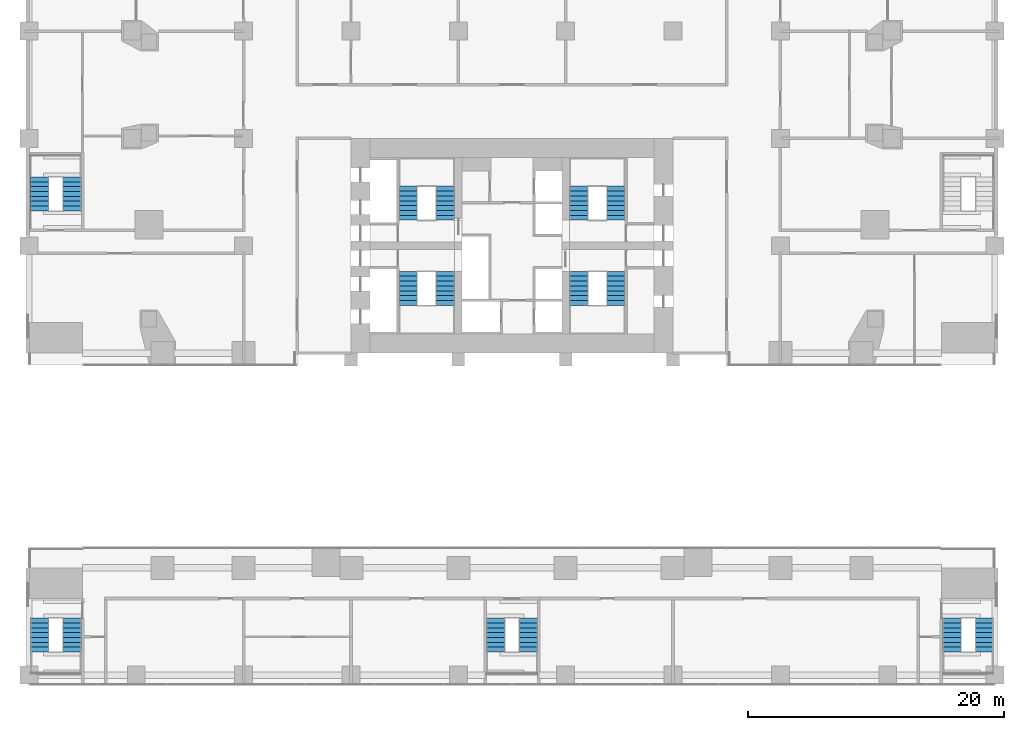
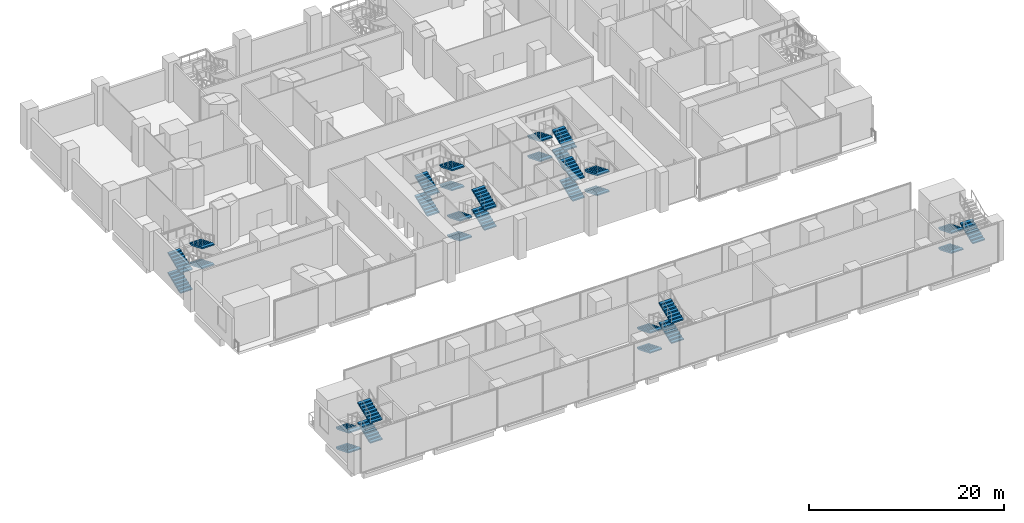
# One storey, part 17 of 24: 31 stair flights, 8 elements without a shape of their own.
"""IFC4 building model written with IfcOpenShell, lengths in metres."""

from ifc_helpers import new_model, si_unit, direction, frame, origin, place, context, subcontext, project, spatial, polyline, outline, extrude, material, type_object, element, aggregate, save


model = new_model("IFC4")

# Units and contexts
model_context = context("Model", 3, precision=1e-05, world=origin(), true_north=direction((0.0, 1.0)))
body_context = subcontext(model_context, "Body", "Model", "MODEL_VIEW")
ifc_project = project(units=[si_unit("LENGTHUNIT", "METRE"), si_unit("AREAUNIT", "SQUARE_METRE"), si_unit("VOLUMEUNIT", "CUBIC_METRE"), si_unit("PLANEANGLEUNIT", "RADIAN"), si_unit("MASSUNIT", "GRAM", prefix="KILO")], contexts=[model_context])

# Site, building, storey
site_placement = place(None, origin())
site = spatial("IfcSite", under=ifc_project, at=site_placement, CompositionType="ELEMENT")
building_placement = place(site_placement, origin())
building = spatial("IfcBuilding", under=site, at=building_placement, Name="Marenta Gate Hotel Tower", CompositionType="ELEMENT")
storey_placement = place(building_placement, frame((0.0, 0.0, 8.0)))
storey = spatial("IfcBuildingStorey", under=building, at=storey_placement, Name="L01", CompositionType="ELEMENT", Elevation=8.0)

# Stair, stair flights
ifc_material_1 = material(Name="Concrete C40", Category="concrete")
stair_type_1 = type_object("IfcStairType", Name="Core exit stair 1430 wide", PredefinedType="HALF_TURN_STAIR", material=ifc_material_1)
stair_1_placement = place(storey_placement, origin())
stair_1 = element("IfcStair", 1, at=stair_1_placement, inside=storey, type_object=stair_type_1, Name="Exit stair 1", PredefinedType="HALF_TURN_STAIR")
ifc_material_2 = material(Name="Concrete C40", Category="concrete")
stair_flight_type_1 = type_object("IfcStairFlightType", Name="Core stair flight 1430 riser 156.2 going 380", PredefinedType="STRAIGHT", material=ifc_material_2)
stair_flight_1_placement = place(storey_placement, frame((-8.135009765625, 6.39990234375, 0.0), z_axis=(0.0, 0.0, 1.0), x_axis=(0.0, -1.0, 0.0)))
stair_flight_1 = element("IfcStairFlight", 2, at=stair_flight_1_placement, type_object=stair_flight_type_1, Name="ST1 flight 1", NumberOfRisers=8, NumberOfTreads=7, PredefinedType="STRAIGHT", RiserHeight=0.15625, TreadLength=0.38, context=body_context, shape_type="SweptSolid", body=[
    extrude(outline(polyline([(0.0, 0.0), (0.0, 0.15625), (0.3798828125, 0.15625), (0.3798828125, 0.3125), (0.760009765625, 0.3125), (0.760009765625, 0.46875), (1.139892578125, 0.46875), (1.139892578125, 0.625), (1.52001953125, 0.625), (1.52001953125, 0.78125), (1.89990234375, 0.78125), (1.89990234375, 0.9375), (2.280029296875, 0.9375), (2.280029296875, 1.09375), (2.659912109375, 1.09375), (2.659912109375, 1.25), (2.659912109375, 0.931640625), (0.394287109375, 0.0), (0.0, 0.0)])), frame((0.0, 0.71484375, 0.0), z_axis=(0.0, -1.0, 0.0), x_axis=(1.0, 0.0, 0.0)), (0.0, 0.0, 1.0), 1.429931640625),
])
stair_flight_2_placement = place(storey_placement, frame((-5.215087890625, 3.739990234375, 1.25), z_axis=(0.0, 0.0, 1.0), x_axis=(0.0, 1.0, 0.0)))
stair_flight_2 = element("IfcStairFlight", 3, at=stair_flight_2_placement, type_object=stair_flight_type_1, Name="ST1 flight 2", NumberOfRisers=8, NumberOfTreads=7, PredefinedType="STRAIGHT", RiserHeight=0.15625, TreadLength=0.38, context=body_context, shape_type="SweptSolid", body=[
    extrude(outline(polyline([(0.0, 0.0), (0.0, 0.15625), (0.3798828125, 0.15625), (0.3798828125, 0.3125), (0.760009765625, 0.3125), (0.760009765625, 0.46875), (1.139892578125, 0.46875), (1.139892578125, 0.625), (1.52001953125, 0.625), (1.52001953125, 0.78125), (1.89990234375, 0.78125), (1.89990234375, 0.9375), (2.280029296875, 0.9375), (2.280029296875, 1.09375), (2.659912109375, 1.09375), (2.659912109375, 1.25), (2.659912109375, 0.931640625), (0.394287109375, 0.0), (0.0, 0.0)])), frame((0.0, 0.71484375, 0.0), z_axis=(0.0, -1.0, 0.0), x_axis=(1.0, 0.0, 0.0)), (0.0, 0.0, 1.0), 1.429931640625),
])
stair_flight_3_placement = place(storey_placement, frame((-8.135009765625, 6.39990234375, 2.5), z_axis=(0.0, 0.0, 1.0), x_axis=(0.0, -1.0, 0.0)))
stair_flight_3 = element("IfcStairFlight", 4, at=stair_flight_3_placement, type_object=stair_flight_type_1, Name="ST1 flight 3", NumberOfRisers=8, NumberOfTreads=7, PredefinedType="STRAIGHT", RiserHeight=0.15625, TreadLength=0.38, context=body_context, shape_type="SweptSolid", body=[
    extrude(outline(polyline([(0.0, 0.0), (0.0, 0.15625), (0.3798828125, 0.15625), (0.3798828125, 0.3125), (0.760009765625, 0.3125), (0.760009765625, 0.46875), (1.139892578125, 0.46875), (1.139892578125, 0.625), (1.52001953125, 0.625), (1.52001953125, 0.78125), (1.89990234375, 0.78125), (1.89990234375, 0.9375), (2.280029296875, 0.9375), (2.280029296875, 1.09375), (2.659912109375, 1.09375), (2.659912109375, 1.25), (2.659912109375, 0.931640625), (0.394287109375, 0.0), (0.0, 0.0)])), frame((0.0, 0.71484375, 0.0), z_axis=(0.0, -1.0, 0.0), x_axis=(1.0, 0.0, 0.0)), (0.0, 0.0, 1.0), 1.429931640625),
])
stair_flight_4_placement = place(storey_placement, frame((-5.215087890625, 3.739990234375, 3.75), z_axis=(0.0, 0.0, 1.0), x_axis=(0.0, 1.0, 0.0)))
stair_flight_4 = element("IfcStairFlight", 5, at=stair_flight_4_placement, type_object=stair_flight_type_1, Name="ST1 flight 4", NumberOfRisers=8, NumberOfTreads=7, PredefinedType="STRAIGHT", RiserHeight=0.15625, TreadLength=0.38, context=body_context, shape_type="SweptSolid", body=[
    extrude(outline(polyline([(0.0, 0.0), (0.0, 0.15625), (0.3798828125, 0.15625), (0.3798828125, 0.3125), (0.760009765625, 0.3125), (0.760009765625, 0.46875), (1.139892578125, 0.46875), (1.139892578125, 0.625), (1.52001953125, 0.625), (1.52001953125, 0.78125), (1.89990234375, 0.78125), (1.89990234375, 0.9375), (2.280029296875, 0.9375), (2.280029296875, 1.09375), (2.659912109375, 1.09375), (2.659912109375, 1.25), (2.659912109375, 0.931640625), (0.394287109375, 0.0), (0.0, 0.0)])), frame((0.0, 0.71484375, 0.0), z_axis=(0.0, -1.0, 0.0), x_axis=(1.0, 0.0, 0.0)), (0.0, 0.0, 1.0), 1.429931640625),
])
aggregate(stair_1, [stair_flight_1, stair_flight_2, stair_flight_3, stair_flight_4])

stair_2_placement = place(storey_placement, origin())
stair_2 = element("IfcStair", 6, at=stair_2_placement, inside=storey, type_object=stair_type_1, Name="Exit stair 2", PredefinedType="HALF_TURN_STAIR")
stair_flight_5_placement = place(storey_placement, frame((-8.135009765625, 10.39990234375, 0.0), z_axis=(0.0, 0.0, 1.0), x_axis=(0.0, 1.0, 0.0)))
stair_flight_5 = element("IfcStairFlight", 7, at=stair_flight_5_placement, type_object=stair_flight_type_1, Name="ST2 flight 1", NumberOfRisers=8, NumberOfTreads=7, PredefinedType="STRAIGHT", RiserHeight=0.15625, TreadLength=0.38, context=body_context, shape_type="SweptSolid", body=[
    extrude(outline(polyline([(0.0, 0.0), (0.0, 0.15625), (0.3798828125, 0.15625), (0.3798828125, 0.3125), (0.760009765625, 0.3125), (0.760009765625, 0.46875), (1.139892578125, 0.46875), (1.139892578125, 0.625), (1.52001953125, 0.625), (1.52001953125, 0.78125), (1.89990234375, 0.78125), (1.89990234375, 0.9375), (2.280029296875, 0.9375), (2.280029296875, 1.09375), (2.659912109375, 1.09375), (2.659912109375, 1.25), (2.659912109375, 0.931640625), (0.394287109375, 0.0), (0.0, 0.0)])), frame((0.0, 0.71484375, 0.0), z_axis=(0.0, -1.0, 0.0), x_axis=(1.0, 0.0, 0.0)), (0.0, 0.0, 1.0), 1.429931640625),
])
stair_flight_6_placement = place(storey_placement, frame((-5.215087890625, 13.06005859375, 1.25), z_axis=(0.0, 0.0, 1.0), x_axis=(0.0, -1.0, 0.0)))
stair_flight_6 = element("IfcStairFlight", 8, at=stair_flight_6_placement, type_object=stair_flight_type_1, Name="ST2 flight 2", NumberOfRisers=8, NumberOfTreads=7, PredefinedType="STRAIGHT", RiserHeight=0.15625, TreadLength=0.38, context=body_context, shape_type="SweptSolid", body=[
    extrude(outline(polyline([(0.0, 0.0), (0.0, 0.15625), (0.3798828125, 0.15625), (0.3798828125, 0.3125), (0.760009765625, 0.3125), (0.760009765625, 0.46875), (1.139892578125, 0.46875), (1.139892578125, 0.625), (1.52001953125, 0.625), (1.52001953125, 0.78125), (1.89990234375, 0.78125), (1.89990234375, 0.9375), (2.280029296875, 0.9375), (2.280029296875, 1.09375), (2.659912109375, 1.09375), (2.659912109375, 1.25), (2.659912109375, 0.931640625), (0.394287109375, 0.0), (0.0, 0.0)])), frame((0.0, 0.71484375, 0.0), z_axis=(0.0, -1.0, 0.0), x_axis=(1.0, 0.0, 0.0)), (0.0, 0.0, 1.0), 1.429931640625),
])
stair_flight_7_placement = place(storey_placement, frame((-8.135009765625, 10.39990234375, 2.5), z_axis=(0.0, 0.0, 1.0), x_axis=(0.0, 1.0, 0.0)))
stair_flight_7 = element("IfcStairFlight", 9, at=stair_flight_7_placement, type_object=stair_flight_type_1, Name="ST2 flight 3", NumberOfRisers=8, NumberOfTreads=7, PredefinedType="STRAIGHT", RiserHeight=0.15625, TreadLength=0.38, context=body_context, shape_type="SweptSolid", body=[
    extrude(outline(polyline([(0.0, 0.0), (0.0, 0.15625), (0.3798828125, 0.15625), (0.3798828125, 0.3125), (0.760009765625, 0.3125), (0.760009765625, 0.46875), (1.139892578125, 0.46875), (1.139892578125, 0.625), (1.52001953125, 0.625), (1.52001953125, 0.78125), (1.89990234375, 0.78125), (1.89990234375, 0.9375), (2.280029296875, 0.9375), (2.280029296875, 1.09375), (2.659912109375, 1.09375), (2.659912109375, 1.25), (2.659912109375, 0.931640625), (0.394287109375, 0.0), (0.0, 0.0)])), frame((0.0, 0.71484375, 0.0), z_axis=(0.0, -1.0, 0.0), x_axis=(1.0, 0.0, 0.0)), (0.0, 0.0, 1.0), 1.429931640625),
])
stair_flight_8_placement = place(storey_placement, frame((-5.215087890625, 13.06005859375, 3.75), z_axis=(0.0, 0.0, 1.0), x_axis=(0.0, -1.0, 0.0)))
stair_flight_8 = element("IfcStairFlight", 10, at=stair_flight_8_placement, type_object=stair_flight_type_1, Name="ST2 flight 4", NumberOfRisers=8, NumberOfTreads=7, PredefinedType="STRAIGHT", RiserHeight=0.15625, TreadLength=0.38, context=body_context, shape_type="SweptSolid", body=[
    extrude(outline(polyline([(0.0, 0.0), (0.0, 0.15625), (0.3798828125, 0.15625), (0.3798828125, 0.3125), (0.760009765625, 0.3125), (0.760009765625, 0.46875), (1.139892578125, 0.46875), (1.139892578125, 0.625), (1.52001953125, 0.625), (1.52001953125, 0.78125), (1.89990234375, 0.78125), (1.89990234375, 0.9375), (2.280029296875, 0.9375), (2.280029296875, 1.09375), (2.659912109375, 1.09375), (2.659912109375, 1.25), (2.659912109375, 0.931640625), (0.394287109375, 0.0), (0.0, 0.0)])), frame((0.0, 0.71484375, 0.0), z_axis=(0.0, -1.0, 0.0), x_axis=(1.0, 0.0, 0.0)), (0.0, 0.0, 1.0), 1.429931640625),
])
aggregate(stair_2, [stair_flight_5, stair_flight_6, stair_flight_7, stair_flight_8])

stair_3_placement = place(storey_placement, origin())
stair_3 = element("IfcStair", 11, at=stair_3_placement, inside=storey, type_object=stair_type_1, Name="Exit stair 3", PredefinedType="HALF_TURN_STAIR")
stair_flight_9_placement = place(storey_placement, frame((8.135009765625, 6.39990234375, 0.0), z_axis=(0.0, 0.0, 1.0), x_axis=(0.0, -1.0, 0.0)))
stair_flight_9 = element("IfcStairFlight", 12, at=stair_flight_9_placement, type_object=stair_flight_type_1, Name="ST3 flight 1", NumberOfRisers=8, NumberOfTreads=7, PredefinedType="STRAIGHT", RiserHeight=0.15625, TreadLength=0.38, context=body_context, shape_type="SweptSolid", body=[
    extrude(outline(polyline([(0.0, 0.0), (0.0, 0.15625), (0.3798828125, 0.15625), (0.3798828125, 0.3125), (0.760009765625, 0.3125), (0.760009765625, 0.46875), (1.139892578125, 0.46875), (1.139892578125, 0.625), (1.52001953125, 0.625), (1.52001953125, 0.78125), (1.89990234375, 0.78125), (1.89990234375, 0.9375), (2.280029296875, 0.9375), (2.280029296875, 1.09375), (2.659912109375, 1.09375), (2.659912109375, 1.25), (2.659912109375, 0.931640625), (0.394287109375, 0.0), (0.0, 0.0)])), frame((0.0, 0.71484375, 0.0), z_axis=(0.0, -1.0, 0.0), x_axis=(1.0, 0.0, 0.0)), (0.0, 0.0, 1.0), 1.429931640625),
])
stair_flight_10_placement = place(storey_placement, frame((5.215087890625, 3.739990234375, 1.25), z_axis=(0.0, 0.0, 1.0), x_axis=(0.0, 1.0, 0.0)))
stair_flight_10 = element("IfcStairFlight", 13, at=stair_flight_10_placement, type_object=stair_flight_type_1, Name="ST3 flight 2", NumberOfRisers=8, NumberOfTreads=7, PredefinedType="STRAIGHT", RiserHeight=0.15625, TreadLength=0.38, context=body_context, shape_type="SweptSolid", body=[
    extrude(outline(polyline([(0.0, 0.0), (0.0, 0.15625), (0.3798828125, 0.15625), (0.3798828125, 0.3125), (0.760009765625, 0.3125), (0.760009765625, 0.46875), (1.139892578125, 0.46875), (1.139892578125, 0.625), (1.52001953125, 0.625), (1.52001953125, 0.78125), (1.89990234375, 0.78125), (1.89990234375, 0.9375), (2.280029296875, 0.9375), (2.280029296875, 1.09375), (2.659912109375, 1.09375), (2.659912109375, 1.25), (2.659912109375, 0.931640625), (0.394287109375, 0.0), (0.0, 0.0)])), frame((0.0, 0.71484375, 0.0), z_axis=(0.0, -1.0, 0.0), x_axis=(1.0, 0.0, 0.0)), (0.0, 0.0, 1.0), 1.429931640625),
])
stair_flight_11_placement = place(storey_placement, frame((8.135009765625, 6.39990234375, 2.5), z_axis=(0.0, 0.0, 1.0), x_axis=(0.0, -1.0, 0.0)))
stair_flight_11 = element("IfcStairFlight", 14, at=stair_flight_11_placement, type_object=stair_flight_type_1, Name="ST3 flight 3", NumberOfRisers=8, NumberOfTreads=7, PredefinedType="STRAIGHT", RiserHeight=0.15625, TreadLength=0.38, context=body_context, shape_type="SweptSolid", body=[
    extrude(outline(polyline([(0.0, 0.0), (0.0, 0.15625), (0.3798828125, 0.15625), (0.3798828125, 0.3125), (0.760009765625, 0.3125), (0.760009765625, 0.46875), (1.139892578125, 0.46875), (1.139892578125, 0.625), (1.52001953125, 0.625), (1.52001953125, 0.78125), (1.89990234375, 0.78125), (1.89990234375, 0.9375), (2.280029296875, 0.9375), (2.280029296875, 1.09375), (2.659912109375, 1.09375), (2.659912109375, 1.25), (2.659912109375, 0.931640625), (0.394287109375, 0.0), (0.0, 0.0)])), frame((0.0, 0.71484375, 0.0), z_axis=(0.0, -1.0, 0.0), x_axis=(1.0, 0.0, 0.0)), (0.0, 0.0, 1.0), 1.429931640625),
])
stair_flight_12_placement = place(storey_placement, frame((5.215087890625, 3.739990234375, 3.75), z_axis=(0.0, 0.0, 1.0), x_axis=(0.0, 1.0, 0.0)))
stair_flight_12 = element("IfcStairFlight", 15, at=stair_flight_12_placement, type_object=stair_flight_type_1, Name="ST3 flight 4", NumberOfRisers=8, NumberOfTreads=7, PredefinedType="STRAIGHT", RiserHeight=0.15625, TreadLength=0.38, context=body_context, shape_type="SweptSolid", body=[
    extrude(outline(polyline([(0.0, 0.0), (0.0, 0.15625), (0.3798828125, 0.15625), (0.3798828125, 0.3125), (0.760009765625, 0.3125), (0.760009765625, 0.46875), (1.139892578125, 0.46875), (1.139892578125, 0.625), (1.52001953125, 0.625), (1.52001953125, 0.78125), (1.89990234375, 0.78125), (1.89990234375, 0.9375), (2.280029296875, 0.9375), (2.280029296875, 1.09375), (2.659912109375, 1.09375), (2.659912109375, 1.25), (2.659912109375, 0.931640625), (0.394287109375, 0.0), (0.0, 0.0)])), frame((0.0, 0.71484375, 0.0), z_axis=(0.0, -1.0, 0.0), x_axis=(1.0, 0.0, 0.0)), (0.0, 0.0, 1.0), 1.429931640625),
])
aggregate(stair_3, [stair_flight_9, stair_flight_10, stair_flight_11, stair_flight_12])

stair_4_placement = place(storey_placement, origin())
stair_4 = element("IfcStair", 16, at=stair_4_placement, inside=storey, type_object=stair_type_1, Name="Exit stair 4", PredefinedType="HALF_TURN_STAIR")
stair_flight_13_placement = place(storey_placement, frame((8.135009765625, 10.39990234375, 0.0), z_axis=(0.0, 0.0, 1.0), x_axis=(0.0, 1.0, 0.0)))
stair_flight_13 = element("IfcStairFlight", 17, at=stair_flight_13_placement, type_object=stair_flight_type_1, Name="ST4 flight 1", NumberOfRisers=8, NumberOfTreads=7, PredefinedType="STRAIGHT", RiserHeight=0.15625, TreadLength=0.38, context=body_context, shape_type="SweptSolid", body=[
    extrude(outline(polyline([(0.0, 0.0), (0.0, 0.15625), (0.3798828125, 0.15625), (0.3798828125, 0.3125), (0.760009765625, 0.3125), (0.760009765625, 0.46875), (1.139892578125, 0.46875), (1.139892578125, 0.625), (1.52001953125, 0.625), (1.52001953125, 0.78125), (1.89990234375, 0.78125), (1.89990234375, 0.9375), (2.280029296875, 0.9375), (2.280029296875, 1.09375), (2.659912109375, 1.09375), (2.659912109375, 1.25), (2.659912109375, 0.931640625), (0.394287109375, 0.0), (0.0, 0.0)])), frame((0.0, 0.71484375, 0.0), z_axis=(0.0, -1.0, 0.0), x_axis=(1.0, 0.0, 0.0)), (0.0, 0.0, 1.0), 1.429931640625),
])
stair_flight_14_placement = place(storey_placement, frame((5.215087890625, 13.06005859375, 1.25), z_axis=(0.0, 0.0, 1.0), x_axis=(0.0, -1.0, 0.0)))
stair_flight_14 = element("IfcStairFlight", 18, at=stair_flight_14_placement, type_object=stair_flight_type_1, Name="ST4 flight 2", NumberOfRisers=8, NumberOfTreads=7, PredefinedType="STRAIGHT", RiserHeight=0.15625, TreadLength=0.38, context=body_context, shape_type="SweptSolid", body=[
    extrude(outline(polyline([(0.0, 0.0), (0.0, 0.15625), (0.3798828125, 0.15625), (0.3798828125, 0.3125), (0.760009765625, 0.3125), (0.760009765625, 0.46875), (1.139892578125, 0.46875), (1.139892578125, 0.625), (1.52001953125, 0.625), (1.52001953125, 0.78125), (1.89990234375, 0.78125), (1.89990234375, 0.9375), (2.280029296875, 0.9375), (2.280029296875, 1.09375), (2.659912109375, 1.09375), (2.659912109375, 1.25), (2.659912109375, 0.931640625), (0.394287109375, 0.0), (0.0, 0.0)])), frame((0.0, 0.71484375, 0.0), z_axis=(0.0, -1.0, 0.0), x_axis=(1.0, 0.0, 0.0)), (0.0, 0.0, 1.0), 1.429931640625),
])
stair_flight_15_placement = place(storey_placement, frame((8.135009765625, 10.39990234375, 2.5), z_axis=(0.0, 0.0, 1.0), x_axis=(0.0, 1.0, 0.0)))
stair_flight_15 = element("IfcStairFlight", 19, at=stair_flight_15_placement, type_object=stair_flight_type_1, Name="ST4 flight 3", NumberOfRisers=8, NumberOfTreads=7, PredefinedType="STRAIGHT", RiserHeight=0.15625, TreadLength=0.38, context=body_context, shape_type="SweptSolid", body=[
    extrude(outline(polyline([(0.0, 0.0), (0.0, 0.15625), (0.3798828125, 0.15625), (0.3798828125, 0.3125), (0.760009765625, 0.3125), (0.760009765625, 0.46875), (1.139892578125, 0.46875), (1.139892578125, 0.625), (1.52001953125, 0.625), (1.52001953125, 0.78125), (1.89990234375, 0.78125), (1.89990234375, 0.9375), (2.280029296875, 0.9375), (2.280029296875, 1.09375), (2.659912109375, 1.09375), (2.659912109375, 1.25), (2.659912109375, 0.931640625), (0.394287109375, 0.0), (0.0, 0.0)])), frame((0.0, 0.71484375, 0.0), z_axis=(0.0, -1.0, 0.0), x_axis=(1.0, 0.0, 0.0)), (0.0, 0.0, 1.0), 1.429931640625),
])
stair_flight_16_placement = place(storey_placement, frame((5.215087890625, 13.06005859375, 3.75), z_axis=(0.0, 0.0, 1.0), x_axis=(0.0, -1.0, 0.0)))
stair_flight_16 = element("IfcStairFlight", 20, at=stair_flight_16_placement, type_object=stair_flight_type_1, Name="ST4 flight 4", NumberOfRisers=8, NumberOfTreads=7, PredefinedType="STRAIGHT", RiserHeight=0.15625, TreadLength=0.38, context=body_context, shape_type="SweptSolid", body=[
    extrude(outline(polyline([(0.0, 0.0), (0.0, 0.15625), (0.3798828125, 0.15625), (0.3798828125, 0.3125), (0.760009765625, 0.3125), (0.760009765625, 0.46875), (1.139892578125, 0.46875), (1.139892578125, 0.625), (1.52001953125, 0.625), (1.52001953125, 0.78125), (1.89990234375, 0.78125), (1.89990234375, 0.9375), (2.280029296875, 0.9375), (2.280029296875, 1.09375), (2.659912109375, 1.09375), (2.659912109375, 1.25), (2.659912109375, 0.931640625), (0.394287109375, 0.0), (0.0, 0.0)])), frame((0.0, 0.71484375, 0.0), z_axis=(0.0, -1.0, 0.0), x_axis=(1.0, 0.0, 0.0)), (0.0, 0.0, 1.0), 1.429931640625),
])
aggregate(stair_4, [stair_flight_13, stair_flight_14, stair_flight_15, stair_flight_16])

ifc_material_3 = material(Name="Concrete C40", Category="concrete")
stair_type_2 = type_object("IfcStairType", Name="Podium exit stair 1430 wide", PredefinedType="HALF_TURN_STAIR", material=ifc_material_3)
stair_5_placement = place(storey_placement, origin())
stair_5 = element("IfcStair", 21, at=stair_5_placement, inside=storey, type_object=stair_type_2, Name="Podium exit stair 1", PredefinedType="HALF_TURN_STAIR")
ifc_material_4 = material(Name="Concrete C40", Category="concrete")
stair_flight_type_2 = type_object("IfcStairFlightType", Name="Podium stair flight 1430 riser 156.2 going 380", PredefinedType="STRAIGHT", material=ifc_material_4)
stair_flight_17_placement = place(storey_placement, frame((-36.985107421875, -20.72998046875, 0.0), z_axis=(0.0, 0.0, 1.0), x_axis=(0.0, -1.0, 0.0)))
stair_flight_17 = element("IfcStairFlight", 22, at=stair_flight_17_placement, type_object=stair_flight_type_2, Name="PX1 flight 1", NumberOfRisers=8, NumberOfTreads=7, PredefinedType="STRAIGHT", RiserHeight=0.15625, TreadLength=0.38, context=body_context, shape_type="SweptSolid", body=[
    extrude(outline(polyline([(0.0, 0.0), (0.0, 0.15625), (0.3798828125, 0.15625), (0.3798828125, 0.3125), (0.760009765625, 0.3125), (0.760009765625, 0.46875), (1.139892578125, 0.46875), (1.139892578125, 0.625), (1.52001953125, 0.625), (1.52001953125, 0.78125), (1.89990234375, 0.78125), (1.89990234375, 0.9375), (2.280029296875, 0.9375), (2.280029296875, 1.09375), (2.659912109375, 1.09375), (2.659912109375, 1.25), (2.659912109375, 0.931640625), (0.394287109375, 0.0), (0.0, 0.0)])), frame((0.0, 0.71484375, 0.0), z_axis=(0.0, -1.0, 0.0), x_axis=(1.0, 0.0, 0.0)), (0.0, 0.0, 1.0), 1.429931640625),
])
stair_flight_18_placement = place(storey_placement, frame((-34.4150390625, -23.389892578125, 1.25), z_axis=(0.0, 0.0, 1.0), x_axis=(0.0, 1.0, 0.0)))
stair_flight_18 = element("IfcStairFlight", 23, at=stair_flight_18_placement, type_object=stair_flight_type_2, Name="PX1 flight 2", NumberOfRisers=8, NumberOfTreads=7, PredefinedType="STRAIGHT", RiserHeight=0.15625, TreadLength=0.38, context=body_context, shape_type="SweptSolid", body=[
    extrude(outline(polyline([(0.0, 0.0), (0.0, 0.15625), (0.3798828125, 0.15625), (0.3798828125, 0.3125), (0.760009765625, 0.3125), (0.760009765625, 0.46875), (1.139892578125, 0.46875), (1.139892578125, 0.625), (1.52001953125, 0.625), (1.52001953125, 0.78125), (1.89990234375, 0.78125), (1.89990234375, 0.9375), (2.280029296875, 0.9375), (2.280029296875, 1.09375), (2.659912109375, 1.09375), (2.659912109375, 1.25), (2.659912109375, 0.931640625), (0.394287109375, 0.0), (0.0, 0.0)])), frame((0.0, 0.71484375, 0.0), z_axis=(0.0, -1.0, 0.0), x_axis=(1.0, 0.0, 0.0)), (0.0, 0.0, 1.0), 1.429931640625),
])
stair_flight_19_placement = place(storey_placement, frame((-36.985107421875, -20.72998046875, 2.5), z_axis=(0.0, 0.0, 1.0), x_axis=(0.0, -1.0, 0.0)))
stair_flight_19 = element("IfcStairFlight", 24, at=stair_flight_19_placement, type_object=stair_flight_type_2, Name="PX1 flight 3", NumberOfRisers=8, NumberOfTreads=7, PredefinedType="STRAIGHT", RiserHeight=0.15625, TreadLength=0.38, context=body_context, shape_type="SweptSolid", body=[
    extrude(outline(polyline([(0.0, 0.0), (0.0, 0.15625), (0.3798828125, 0.15625), (0.3798828125, 0.3125), (0.760009765625, 0.3125), (0.760009765625, 0.46875), (1.139892578125, 0.46875), (1.139892578125, 0.625), (1.52001953125, 0.625), (1.52001953125, 0.78125), (1.89990234375, 0.78125), (1.89990234375, 0.9375), (2.280029296875, 0.9375), (2.280029296875, 1.09375), (2.659912109375, 1.09375), (2.659912109375, 1.25), (2.659912109375, 0.931640625), (0.394287109375, 0.0), (0.0, 0.0)])), frame((0.0, 0.71484375, 0.0), z_axis=(0.0, -1.0, 0.0), x_axis=(1.0, 0.0, 0.0)), (0.0, 0.0, 1.0), 1.429931640625),
])
stair_flight_20_placement = place(storey_placement, frame((-34.4150390625, -23.389892578125, 3.75), z_axis=(0.0, 0.0, 1.0), x_axis=(0.0, 1.0, 0.0)))
stair_flight_20 = element("IfcStairFlight", 25, at=stair_flight_20_placement, type_object=stair_flight_type_2, Name="PX1 flight 4", NumberOfRisers=8, NumberOfTreads=7, PredefinedType="STRAIGHT", RiserHeight=0.15625, TreadLength=0.38, context=body_context, shape_type="SweptSolid", body=[
    extrude(outline(polyline([(0.0, 0.0), (0.0, 0.15625), (0.3798828125, 0.15625), (0.3798828125, 0.3125), (0.760009765625, 0.3125), (0.760009765625, 0.46875), (1.139892578125, 0.46875), (1.139892578125, 0.625), (1.52001953125, 0.625), (1.52001953125, 0.78125), (1.89990234375, 0.78125), (1.89990234375, 0.9375), (2.280029296875, 0.9375), (2.280029296875, 1.09375), (2.659912109375, 1.09375), (2.659912109375, 1.25), (2.659912109375, 0.931640625), (0.394287109375, 0.0), (0.0, 0.0)])), frame((0.0, 0.71484375, 0.0), z_axis=(0.0, -1.0, 0.0), x_axis=(1.0, 0.0, 0.0)), (0.0, 0.0, 1.0), 1.429931640625),
])
aggregate(stair_5, [stair_flight_17, stair_flight_18, stair_flight_19, stair_flight_20])

stair_6_placement = place(storey_placement, origin())
stair_6 = element("IfcStair", 26, at=stair_6_placement, inside=storey, type_object=stair_type_2, Name="Podium exit stair 2", PredefinedType="HALF_TURN_STAIR")
stair_flight_21_placement = place(storey_placement, frame((34.4150390625, -20.72998046875, 0.0), z_axis=(0.0, 0.0, 1.0), x_axis=(0.0, -1.0, 0.0)))
stair_flight_21 = element("IfcStairFlight", 27, at=stair_flight_21_placement, type_object=stair_flight_type_2, Name="PX2 flight 1", NumberOfRisers=8, NumberOfTreads=7, PredefinedType="STRAIGHT", RiserHeight=0.15625, TreadLength=0.38, context=body_context, shape_type="SweptSolid", body=[
    extrude(outline(polyline([(0.0, 0.0), (0.0, 0.15625), (0.3798828125, 0.15625), (0.3798828125, 0.3125), (0.760009765625, 0.3125), (0.760009765625, 0.46875), (1.139892578125, 0.46875), (1.139892578125, 0.625), (1.52001953125, 0.625), (1.52001953125, 0.78125), (1.89990234375, 0.78125), (1.89990234375, 0.9375), (2.280029296875, 0.9375), (2.280029296875, 1.09375), (2.659912109375, 1.09375), (2.659912109375, 1.25), (2.659912109375, 0.931640625), (0.394287109375, 0.0), (0.0, 0.0)])), frame((0.0, 0.71484375, 0.0), z_axis=(0.0, -1.0, 0.0), x_axis=(1.0, 0.0, 0.0)), (0.0, 0.0, 1.0), 1.429931640625),
])
stair_flight_22_placement = place(storey_placement, frame((36.985107421875, -23.389892578125, 1.25), z_axis=(0.0, 0.0, 1.0), x_axis=(0.0, 1.0, 0.0)))
stair_flight_22 = element("IfcStairFlight", 28, at=stair_flight_22_placement, type_object=stair_flight_type_2, Name="PX2 flight 2", NumberOfRisers=8, NumberOfTreads=7, PredefinedType="STRAIGHT", RiserHeight=0.15625, TreadLength=0.38, context=body_context, shape_type="SweptSolid", body=[
    extrude(outline(polyline([(0.0, 0.0), (0.0, 0.15625), (0.3798828125, 0.15625), (0.3798828125, 0.3125), (0.760009765625, 0.3125), (0.760009765625, 0.46875), (1.139892578125, 0.46875), (1.139892578125, 0.625), (1.52001953125, 0.625), (1.52001953125, 0.78125), (1.89990234375, 0.78125), (1.89990234375, 0.9375), (2.280029296875, 0.9375), (2.280029296875, 1.09375), (2.659912109375, 1.09375), (2.659912109375, 1.25), (2.659912109375, 0.931640625), (0.394287109375, 0.0), (0.0, 0.0)])), frame((0.0, 0.71484375, 0.0), z_axis=(0.0, -1.0, 0.0), x_axis=(1.0, 0.0, 0.0)), (0.0, 0.0, 1.0), 1.429931640625),
])
stair_flight_23_placement = place(storey_placement, frame((34.4150390625, -20.72998046875, 2.5), z_axis=(0.0, 0.0, 1.0), x_axis=(0.0, -1.0, 0.0)))
stair_flight_23 = element("IfcStairFlight", 29, at=stair_flight_23_placement, type_object=stair_flight_type_2, Name="PX2 flight 3", NumberOfRisers=8, NumberOfTreads=7, PredefinedType="STRAIGHT", RiserHeight=0.15625, TreadLength=0.38, context=body_context, shape_type="SweptSolid", body=[
    extrude(outline(polyline([(0.0, 0.0), (0.0, 0.15625), (0.3798828125, 0.15625), (0.3798828125, 0.3125), (0.760009765625, 0.3125), (0.760009765625, 0.46875), (1.139892578125, 0.46875), (1.139892578125, 0.625), (1.52001953125, 0.625), (1.52001953125, 0.78125), (1.89990234375, 0.78125), (1.89990234375, 0.9375), (2.280029296875, 0.9375), (2.280029296875, 1.09375), (2.659912109375, 1.09375), (2.659912109375, 1.25), (2.659912109375, 0.931640625), (0.394287109375, 0.0), (0.0, 0.0)])), frame((0.0, 0.71484375, 0.0), z_axis=(0.0, -1.0, 0.0), x_axis=(1.0, 0.0, 0.0)), (0.0, 0.0, 1.0), 1.429931640625),
])
aggregate(stair_6, [stair_flight_21, stair_flight_22, stair_flight_23])

stair_7_placement = place(storey_placement, origin())
stair_7 = element("IfcStair", 30, at=stair_7_placement, inside=storey, type_object=stair_type_2, Name="Podium exit stair 5", PredefinedType="HALF_TURN_STAIR")
stair_flight_24_placement = place(storey_placement, frame((-1.284912109375, -20.72998046875, 0.0), z_axis=(0.0, 0.0, 1.0), x_axis=(0.0, -1.0, 0.0)))
stair_flight_24 = element("IfcStairFlight", 31, at=stair_flight_24_placement, type_object=stair_flight_type_2, Name="PX5 flight 1", NumberOfRisers=8, NumberOfTreads=7, PredefinedType="STRAIGHT", RiserHeight=0.15625, TreadLength=0.38, context=body_context, shape_type="SweptSolid", body=[
    extrude(outline(polyline([(0.0, 0.0), (0.0, 0.15625), (0.3798828125, 0.15625), (0.3798828125, 0.3125), (0.760009765625, 0.3125), (0.760009765625, 0.46875), (1.139892578125, 0.46875), (1.139892578125, 0.625), (1.52001953125, 0.625), (1.52001953125, 0.78125), (1.89990234375, 0.78125), (1.89990234375, 0.9375), (2.280029296875, 0.9375), (2.280029296875, 1.09375), (2.659912109375, 1.09375), (2.659912109375, 1.25), (2.659912109375, 0.931640625), (0.394287109375, 0.0), (0.0, 0.0)])), frame((0.0, 0.71484375, 0.0), z_axis=(0.0, -1.0, 0.0), x_axis=(1.0, 0.0, 0.0)), (0.0, 0.0, 1.0), 1.429931640625),
])
stair_flight_25_placement = place(storey_placement, frame((1.284912109375, -23.389892578125, 1.25), z_axis=(0.0, 0.0, 1.0), x_axis=(0.0, 1.0, 0.0)))
stair_flight_25 = element("IfcStairFlight", 32, at=stair_flight_25_placement, type_object=stair_flight_type_2, Name="PX5 flight 2", NumberOfRisers=8, NumberOfTreads=7, PredefinedType="STRAIGHT", RiserHeight=0.15625, TreadLength=0.38, context=body_context, shape_type="SweptSolid", body=[
    extrude(outline(polyline([(0.0, 0.0), (0.0, 0.15625), (0.3798828125, 0.15625), (0.3798828125, 0.3125), (0.760009765625, 0.3125), (0.760009765625, 0.46875), (1.139892578125, 0.46875), (1.139892578125, 0.625), (1.52001953125, 0.625), (1.52001953125, 0.78125), (1.89990234375, 0.78125), (1.89990234375, 0.9375), (2.280029296875, 0.9375), (2.280029296875, 1.09375), (2.659912109375, 1.09375), (2.659912109375, 1.25), (2.659912109375, 0.931640625), (0.394287109375, 0.0), (0.0, 0.0)])), frame((0.0, 0.71484375, 0.0), z_axis=(0.0, -1.0, 0.0), x_axis=(1.0, 0.0, 0.0)), (0.0, 0.0, 1.0), 1.429931640625),
])
stair_flight_26_placement = place(storey_placement, frame((-1.284912109375, -20.72998046875, 2.5), z_axis=(0.0, 0.0, 1.0), x_axis=(0.0, -1.0, 0.0)))
stair_flight_26 = element("IfcStairFlight", 33, at=stair_flight_26_placement, type_object=stair_flight_type_2, Name="PX5 flight 3", NumberOfRisers=8, NumberOfTreads=7, PredefinedType="STRAIGHT", RiserHeight=0.15625, TreadLength=0.38, context=body_context, shape_type="SweptSolid", body=[
    extrude(outline(polyline([(0.0, 0.0), (0.0, 0.15625), (0.3798828125, 0.15625), (0.3798828125, 0.3125), (0.760009765625, 0.3125), (0.760009765625, 0.46875), (1.139892578125, 0.46875), (1.139892578125, 0.625), (1.52001953125, 0.625), (1.52001953125, 0.78125), (1.89990234375, 0.78125), (1.89990234375, 0.9375), (2.280029296875, 0.9375), (2.280029296875, 1.09375), (2.659912109375, 1.09375), (2.659912109375, 1.25), (2.659912109375, 0.931640625), (0.394287109375, 0.0), (0.0, 0.0)])), frame((0.0, 0.71484375, 0.0), z_axis=(0.0, -1.0, 0.0), x_axis=(1.0, 0.0, 0.0)), (0.0, 0.0, 1.0), 1.429931640625),
])
stair_flight_27_placement = place(storey_placement, frame((1.284912109375, -23.389892578125, 3.75), z_axis=(0.0, 0.0, 1.0), x_axis=(0.0, 1.0, 0.0)))
stair_flight_27 = element("IfcStairFlight", 34, at=stair_flight_27_placement, type_object=stair_flight_type_2, Name="PX5 flight 4", NumberOfRisers=8, NumberOfTreads=7, PredefinedType="STRAIGHT", RiserHeight=0.15625, TreadLength=0.38, context=body_context, shape_type="SweptSolid", body=[
    extrude(outline(polyline([(0.0, 0.0), (0.0, 0.15625), (0.3798828125, 0.15625), (0.3798828125, 0.3125), (0.760009765625, 0.3125), (0.760009765625, 0.46875), (1.139892578125, 0.46875), (1.139892578125, 0.625), (1.52001953125, 0.625), (1.52001953125, 0.78125), (1.89990234375, 0.78125), (1.89990234375, 0.9375), (2.280029296875, 0.9375), (2.280029296875, 1.09375), (2.659912109375, 1.09375), (2.659912109375, 1.25), (2.659912109375, 0.931640625), (0.394287109375, 0.0), (0.0, 0.0)])), frame((0.0, 0.71484375, 0.0), z_axis=(0.0, -1.0, 0.0), x_axis=(1.0, 0.0, 0.0)), (0.0, 0.0, 1.0), 1.429931640625),
])
aggregate(stair_7, [stair_flight_24, stair_flight_25, stair_flight_26, stair_flight_27])

stair_8_placement = place(storey_placement, origin())
stair_8 = element("IfcStair", 35, at=stair_8_placement, inside=storey, type_object=stair_type_2, Name="Podium exit stair 6", PredefinedType="HALF_TURN_STAIR")
stair_flight_28_placement = place(storey_placement, frame((-36.985107421875, 11.1298828125, 0.0), z_axis=(0.0, 0.0, 1.0), x_axis=(0.0, 1.0, 0.0)))
stair_flight_28 = element("IfcStairFlight", 36, at=stair_flight_28_placement, type_object=stair_flight_type_2, Name="PX6 flight 1", NumberOfRisers=8, NumberOfTreads=7, PredefinedType="STRAIGHT", RiserHeight=0.15625, TreadLength=0.38, context=body_context, shape_type="SweptSolid", body=[
    extrude(outline(polyline([(0.0, 0.0), (0.0, 0.15625), (0.3798828125, 0.15625), (0.3798828125, 0.3125), (0.760009765625, 0.3125), (0.760009765625, 0.46875), (1.139892578125, 0.46875), (1.139892578125, 0.625), (1.52001953125, 0.625), (1.52001953125, 0.78125), (1.89990234375, 0.78125), (1.89990234375, 0.9375), (2.280029296875, 0.9375), (2.280029296875, 1.09375), (2.659912109375, 1.09375), (2.659912109375, 1.25), (2.659912109375, 0.931640625), (0.394287109375, 0.0), (0.0, 0.0)])), frame((0.0, 0.71484375, 0.0), z_axis=(0.0, -1.0, 0.0), x_axis=(1.0, 0.0, 0.0)), (0.0, 0.0, 1.0), 1.429931640625),
])
stair_flight_29_placement = place(storey_placement, frame((-34.4150390625, 13.7900390625, 1.25), z_axis=(0.0, 0.0, 1.0), x_axis=(0.0, -1.0, 0.0)))
stair_flight_29 = element("IfcStairFlight", 37, at=stair_flight_29_placement, type_object=stair_flight_type_2, Name="PX6 flight 2", NumberOfRisers=8, NumberOfTreads=7, PredefinedType="STRAIGHT", RiserHeight=0.15625, TreadLength=0.38, context=body_context, shape_type="SweptSolid", body=[
    extrude(outline(polyline([(0.0, 0.0), (0.0, 0.15625), (0.3798828125, 0.15625), (0.3798828125, 0.3125), (0.760009765625, 0.3125), (0.760009765625, 0.46875), (1.139892578125, 0.46875), (1.139892578125, 0.625), (1.52001953125, 0.625), (1.52001953125, 0.78125), (1.89990234375, 0.78125), (1.89990234375, 0.9375), (2.280029296875, 0.9375), (2.280029296875, 1.09375), (2.659912109375, 1.09375), (2.659912109375, 1.25), (2.659912109375, 0.931640625), (0.394287109375, 0.0), (0.0, 0.0)])), frame((0.0, 0.71484375, 0.0), z_axis=(0.0, -1.0, 0.0), x_axis=(1.0, 0.0, 0.0)), (0.0, 0.0, 1.0), 1.429931640625),
])
stair_flight_30_placement = place(storey_placement, frame((-36.985107421875, 11.1298828125, 2.5), z_axis=(0.0, 0.0, 1.0), x_axis=(0.0, 1.0, 0.0)))
stair_flight_30 = element("IfcStairFlight", 38, at=stair_flight_30_placement, type_object=stair_flight_type_2, Name="PX6 flight 3", NumberOfRisers=8, NumberOfTreads=7, PredefinedType="STRAIGHT", RiserHeight=0.15625, TreadLength=0.38, context=body_context, shape_type="SweptSolid", body=[
    extrude(outline(polyline([(0.0, 0.0), (0.0, 0.15625), (0.3798828125, 0.15625), (0.3798828125, 0.3125), (0.760009765625, 0.3125), (0.760009765625, 0.46875), (1.139892578125, 0.46875), (1.139892578125, 0.625), (1.52001953125, 0.625), (1.52001953125, 0.78125), (1.89990234375, 0.78125), (1.89990234375, 0.9375), (2.280029296875, 0.9375), (2.280029296875, 1.09375), (2.659912109375, 1.09375), (2.659912109375, 1.25), (2.659912109375, 0.931640625), (0.394287109375, 0.0), (0.0, 0.0)])), frame((0.0, 0.71484375, 0.0), z_axis=(0.0, -1.0, 0.0), x_axis=(1.0, 0.0, 0.0)), (0.0, 0.0, 1.0), 1.429931640625),
])
stair_flight_31_placement = place(storey_placement, frame((-34.4150390625, 13.7900390625, 3.75), z_axis=(0.0, 0.0, 1.0), x_axis=(0.0, -1.0, 0.0)))
stair_flight_31 = element("IfcStairFlight", 39, at=stair_flight_31_placement, type_object=stair_flight_type_2, Name="PX6 flight 4", NumberOfRisers=8, NumberOfTreads=7, PredefinedType="STRAIGHT", RiserHeight=0.15625, TreadLength=0.38, context=body_context, shape_type="SweptSolid", body=[
    extrude(outline(polyline([(0.0, 0.0), (0.0, 0.15625), (0.3798828125, 0.15625), (0.3798828125, 0.3125), (0.760009765625, 0.3125), (0.760009765625, 0.46875), (1.139892578125, 0.46875), (1.139892578125, 0.625), (1.52001953125, 0.625), (1.52001953125, 0.78125), (1.89990234375, 0.78125), (1.89990234375, 0.9375), (2.280029296875, 0.9375), (2.280029296875, 1.09375), (2.659912109375, 1.09375), (2.659912109375, 1.25), (2.659912109375, 0.931640625), (0.394287109375, 0.0), (0.0, 0.0)])), frame((0.0, 0.71484375, 0.0), z_axis=(0.0, -1.0, 0.0), x_axis=(1.0, 0.0, 0.0)), (0.0, 0.0, 1.0), 1.429931640625),
])
aggregate(stair_8, [stair_flight_28, stair_flight_29, stair_flight_30, stair_flight_31])

save(model, "model.ifc")
